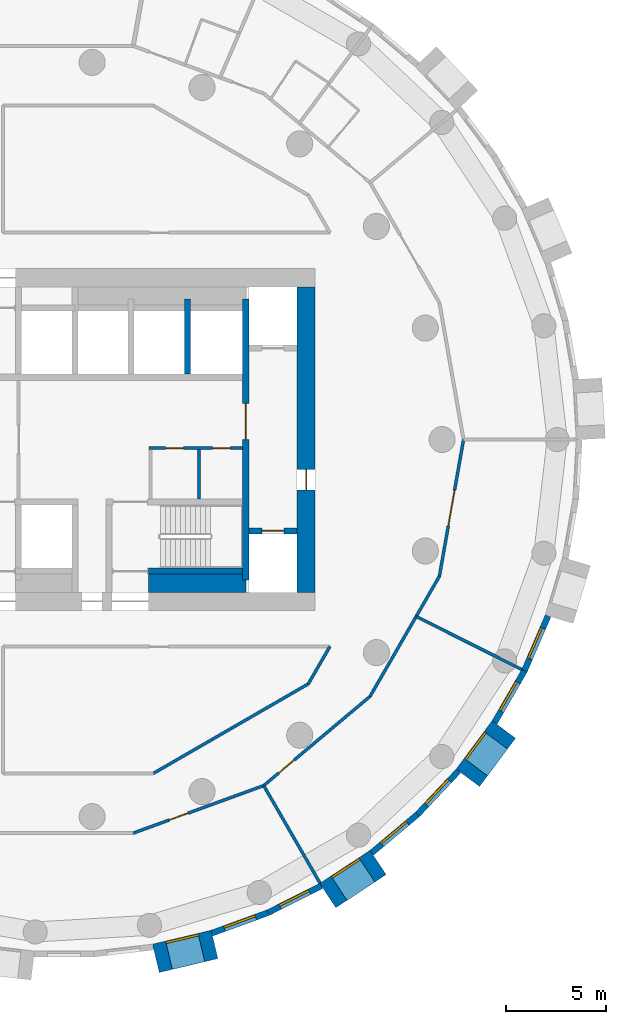
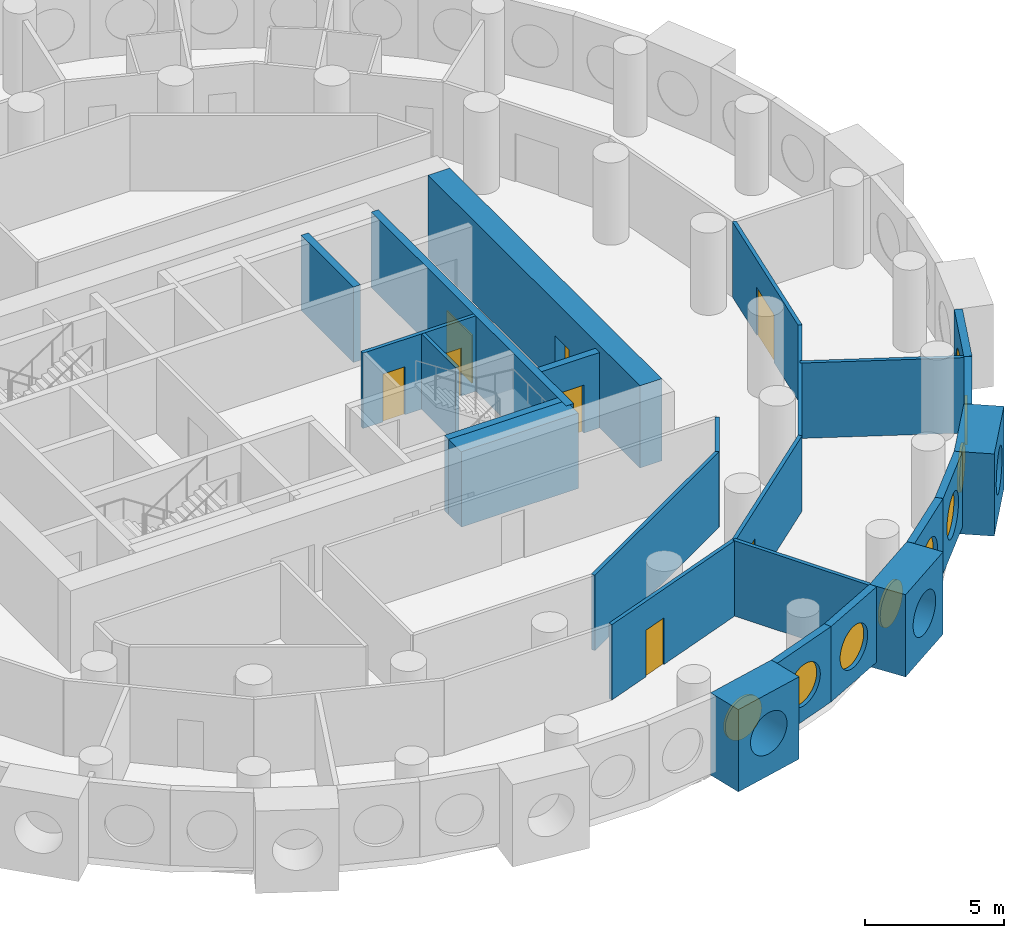
# One storey, part 4 of 9: 25 walls, 9 windows, 8 doors, 17 openings.
"""IFC4 building model written with IfcOpenShell, lengths in metres."""

from ifc_helpers import new_model, si_unit, direction, frame, frame_2d, origin, origin_2d, place, context, subcontext, project, spatial, rectangle, circle, extrude, material, layer, layer_set, type_object, element, fill, save


model = new_model("IFC4")

# Units and contexts
model_context = context("Model", 3, precision=1e-05, world=origin(), true_north=direction((0.0, 1.0)))
body_context = subcontext(model_context, "Body", "Model", "MODEL_VIEW")
ifc_project = project(units=[si_unit("LENGTHUNIT", "METRE"), si_unit("AREAUNIT", "SQUARE_METRE"), si_unit("VOLUMEUNIT", "CUBIC_METRE"), si_unit("PLANEANGLEUNIT", "RADIAN"), si_unit("MASSUNIT", "GRAM", prefix="KILO")], contexts=[model_context])

# Site, building, storey
site_placement = place(None, origin())
site = spatial("IfcSite", under=ifc_project, at=site_placement, CompositionType="ELEMENT")
building_placement = place(site_placement, origin())
building = spatial("IfcBuilding", under=site, at=building_placement, Name="Tracery Tower", CompositionType="ELEMENT")
storey_placement = place(building_placement, frame((0.0, 0.0, 147.60009765625)))
storey = spatial("IfcBuildingStorey", under=building, at=storey_placement, Name="L37", CompositionType="ELEMENT", Elevation=147.60009765625)

# Wall, openings, doors
ifc_material_1 = material(Name="Plasterboard on steel studs", Category="steel")
ifc_layer_1 = layer(ifc_material_1, 0.14990234375)
ifc_layer_set_1 = layer_set([ifc_layer_1], Name="Core room partition 150")
wall_type_1 = type_object("IfcWallType", Name="Core room partition 150", PredefinedType="SOLIDWALL", material=ifc_layer_set_1)
wall_1_placement = place(storey_placement, frame((4.22509765625, -0.425048828125, 0.0), z_axis=(0.0, 0.0, 1.0), x_axis=(1.0, 0.0, 0.0)))
wall_1 = element("IfcWall", 1, at=wall_1_placement, inside=storey, type_object=wall_type_1, Name="L37 slot N", PredefinedType="SOLIDWALL", context=body_context, shape_type="SweptSolid", body=[
    extrude(rectangle(XDim=4.6748046875, YDim=0.14990234375, at=frame_2d((2.33740234375, 0.0))), origin(), (0.0, 0.0, 1.0), 3.2998046875),
])
opening_1_placement = place(wall_1_placement, frame((0.83740234375, 0.0, 0.0)))
opening_1 = element("IfcOpeningElement", 2, at=opening_1_placement, cuts=wall_1, Name="Opening KD27", PredefinedType="OPENING", context=body_context, shape_type="SweptSolid", body=[
    extrude(rectangle(XDim=0.89990234375, YDim=2.10009765625, at=frame_2d((0.449951171875, 1.050048828125))), frame((0.0, 0.074951171875, 0.0), z_axis=(0.0, -1.0, 0.0), x_axis=(1.0, 0.0, 0.0)), (0.0, 0.0, 1.0), 0.14990234375),
])
opening_2_placement = place(wall_1_placement, frame((3.175048828125, 0.0, 0.0)))
opening_2 = element("IfcOpeningElement", 3, at=opening_2_placement, cuts=wall_1, Name="Opening KD21", PredefinedType="OPENING", context=body_context, shape_type="SweptSolid", body=[
    extrude(rectangle(XDim=0.89990234375, YDim=2.10009765625, at=frame_2d((0.449951171875, 1.050048828125))), frame((0.0, 0.074951171875, 0.0), z_axis=(0.0, -1.0, 0.0), x_axis=(1.0, 0.0, 0.0)), (0.0, 0.0, 1.0), 0.14990234375),
])
ifc_material_2 = material(Name="Timber door leaf", Category="wood")
door_type_1 = type_object("IfcDoorType", Name="Core WC door 900", OperationType="NOTDEFINED", PredefinedType="DOOR", material=ifc_material_2)
door_1_placement = place(opening_2_placement, origin())
door_1 = element("IfcDoor", 4, at=door_1_placement, inside=storey, type_object=door_type_1, Name="Core door", OperationType="SINGLE_SWING_LEFT", OverallHeight=2.10009765625, OverallWidth=0.89990234375, PredefinedType="DOOR", context=body_context, shape_type="SweptSolid", body=[
    extrude(rectangle(XDim=0.89990234375, YDim=2.10009765625, at=frame_2d((0.449951171875, 1.050048828125))), frame((0.0, 0.02490234375, 0.0), z_axis=(0.0, -1.0, 0.0), x_axis=(1.0, 0.0, 0.0)), (0.0, 0.0, 1.0), 0.050048828125),
])
fill(opening_2, door_1)
ifc_material_3 = material(Name="Timber door leaf", Category="wood")
door_type_2 = type_object("IfcDoorType", Name="Core store door 900", OperationType="NOTDEFINED", PredefinedType="DOOR", material=ifc_material_3)
door_2_placement = place(opening_1_placement, origin())
door_2 = element("IfcDoor", 5, at=door_2_placement, inside=storey, type_object=door_type_2, Name="Core door", OperationType="SINGLE_SWING_RIGHT", OverallHeight=2.10009765625, OverallWidth=0.89990234375, PredefinedType="DOOR", context=body_context, shape_type="SweptSolid", body=[
    extrude(rectangle(XDim=0.89990234375, YDim=2.10009765625, at=frame_2d((0.449951171875, 1.050048828125))), frame((0.0, 0.02490234375, 0.0), z_axis=(0.0, -1.0, 0.0), x_axis=(1.0, 0.0, 0.0)), (0.0, 0.0, 1.0), 0.050048828125),
])
fill(opening_1, door_2)

# Walls
wall_2_placement = place(storey_placement, frame((6.72509765625, -2.949951171875, 0.0), z_axis=(0.0, 0.0, 1.0), x_axis=(0.0, 1.0, 0.0)))
element("IfcWall", 6, at=wall_2_placement, inside=storey, type_object=wall_type_1, Name="L37 slot sep 1", PredefinedType="SOLIDWALL", context=body_context, shape_type="SweptSolid", body=[
    extrude(rectangle(XDim=2.449951171875, YDim=0.14990234375, at=frame_2d((1.22509765625, 0.0))), origin(), (0.0, 0.0, 1.0), 3.2998046875),
])
ifc_material_4 = material(Name="Concrete C50/60", Category="concrete")
ifc_layer_2 = layer(ifc_material_4, 0.89990234375)
ifc_layer_set_2 = layer_set([ifc_layer_2], Name="Core strip wall 900 C50")
wall_type_2 = type_object("IfcWallType", Name="Core strip wall 900 C50", PredefinedType="SOLIDWALL", material=ifc_layer_set_2)
wall_3_placement = place(storey_placement, frame((4.199951171875, -7.14990234375, 0.0), z_axis=(0.0, 0.0, 1.0), x_axis=(1.0, 0.0, 0.0)))
element("IfcWall", 7, at=wall_3_placement, inside=storey, type_object=wall_type_2, Name="L37 F thick S E", PredefinedType="SOLIDWALL", context=body_context, shape_type="SweptSolid", body=[
    extrude(rectangle(XDim=4.85009765625, YDim=0.89990234375, at=frame_2d((2.425048828125, 0.0))), origin(), (0.0, 0.0, 1.0), 3.2998046875),
])

# Wall, opening, door
ifc_material_5 = material(Name="Concrete C50/60", Category="concrete")
ifc_layer_3 = layer(ifc_material_5, 0.89990234375)
ifc_layer_set_3 = layer_set([ifc_layer_3], Name="Core wall 900 C50")
wall_type_3 = type_object("IfcWallType", Name="Core wall 900 C50", PredefinedType="SOLIDWALL", material=ifc_layer_set_3)
wall_4_placement = place(storey_placement, frame((12.050048828125, -7.60009765625, 0.0), z_axis=(0.0, 0.0, 1.0), x_axis=(0.0, 1.0, 0.0)))
wall_4 = element("IfcWall", 8, at=wall_4_placement, inside=storey, type_object=wall_type_3, Name="L37 outer E", PredefinedType="SOLIDWALL", context=body_context, shape_type="SweptSolid", body=[
    extrude(rectangle(XDim=15.2001953125, YDim=0.89990234375, at=frame_2d((7.60009765625, 0.0))), origin(), (0.0, 0.0, 1.0), 3.599853515625),
])
opening_3_placement = place(wall_4_placement, frame((5.10009765625, 0.0, 0.0)))
opening_3 = element("IfcOpeningElement", 9, at=opening_3_placement, cuts=wall_4, Name="Opening KD18", PredefinedType="OPENING", context=body_context, shape_type="SweptSolid", body=[
    extrude(rectangle(XDim=1.0, YDim=2.10009765625, at=frame_2d((0.5, 1.050048828125))), frame((0.0, 0.449951171875, 0.0), z_axis=(0.0, -1.0, 0.0), x_axis=(1.0, 0.0, 0.0)), (0.0, 0.0, 1.0), 0.89990234375),
])
ifc_material_6 = material(Name="Steel fire door", Category="steel")
door_type_3 = type_object("IfcDoorType", Name="Core exit door 1000", OperationType="NOTDEFINED", PredefinedType="DOOR", material=ifc_material_6)
door_3_placement = place(opening_3_placement, origin())
door_3 = element("IfcDoor", 10, at=door_3_placement, inside=storey, type_object=door_type_3, Name="Core exit door", OperationType="DOUBLE_DOOR_SINGLE_SWING", OverallHeight=2.10009765625, OverallWidth=1.0, PredefinedType="DOOR", context=body_context, shape_type="SweptSolid", body=[
    extrude(rectangle(XDim=1.0, YDim=2.10009765625, at=frame_2d((0.5, 1.050048828125))), frame((0.0, 0.02490234375, 0.0), z_axis=(0.0, -1.0, 0.0), x_axis=(1.0, 0.0, 0.0)), (0.0, 0.0, 1.0), 0.050048828125),
])
fill(opening_3, door_3)

# Wall, opening, window
ifc_material_7 = material(Name="Precast concrete C50/60", Category="concrete")
ifc_layer_4 = layer(ifc_material_7, 1.449951171875)
ifc_layer_set_4 = layer_set([ifc_layer_4], Name="Deep-set bay unit 3000 x 3600, slab edge 300")
wall_type_4 = type_object("IfcWallType", Name="Deep-set bay unit 3000 x 3600, slab edge 300", PredefinedType="ELEMENTEDWALL", material=ifc_layer_set_4)
wall_5_placement = place(storey_placement, frame((4.57763671875, -25.8193359375, -0.300048828125), z_axis=(0.0, 0.0, 1.0), x_axis=(0.973042333261, 0.23062657627, 0.0)))
wall_5 = element("IfcWall", 11, at=wall_5_placement, inside=storey, type_object=wall_type_4, Name="Deep-set bay unit 43 at L37", PredefinedType="ELEMENTEDWALL", context=body_context, shape_type="SweptSolid", body=[
    extrude(rectangle(XDim=3.0, YDim=1.449951171875, at=frame_2d((1.5, 0.0))), origin(), (0.0, 0.0, 1.0), 3.599853515625),
])
opening_4_placement = place(wall_5_placement, frame((1.5, 0.0, 1.85009765625)))
opening_4 = element("IfcOpeningElement", 12, at=opening_4_placement, cuts=wall_5, Name="Opening WN1", PredefinedType="OPENING", context=body_context, shape_type="SweptSolid", body=[
    extrude(circle(Radius=0.9000244140625, at=origin_2d()), frame((0.0, 0.73486328125, 0.0), z_axis=(0.0, -1.0, 0.0), x_axis=(1.0, 0.0, 0.0)), (0.0, 0.0, 1.0), 1.469970703125),
])
ifc_material_8 = material(Name="Aluminium frame with tinted double glazing", Category="aluminium")
window_type = type_object("IfcWindowType", Name="Round window 1800", PartitioningType="SINGLE_PANEL", PredefinedType="WINDOW", material=ifc_material_8)
window_1_placement = place(opening_4_placement, origin())
window_1 = element("IfcWindow", 13, at=window_1_placement, inside=storey, type_object=window_type, Name="Round window 43 at L37", OverallHeight=1.800048828125, OverallWidth=1.800048828125, PartitioningType="SINGLE_PANEL", PredefinedType="WINDOW", context=body_context, shape_type="SweptSolid", body=[
    extrude(circle(Radius=0.9000244140625, at=origin_2d()), frame((0.0, 0.69482421875, 0.0), z_axis=(0.0, -1.0, 0.0), x_axis=(1.0, 0.0, 0.0)), (0.0, 0.0, 1.0), 0.10009765625),
])
fill(opening_4, window_1)

wall_6_placement = place(storey_placement, frame((13.13232421875, -22.696533203125, -0.300048828125), z_axis=(0.0, 0.0, 1.0), x_axis=(0.835514416706, 0.549468524554, 0.0)))
wall_6 = element("IfcWall", 14, at=wall_6_placement, inside=storey, type_object=wall_type_4, Name="Deep-set bay unit 46 at L37", PredefinedType="ELEMENTEDWALL", context=body_context, shape_type="SweptSolid", body=[
    extrude(rectangle(XDim=3.0, YDim=1.449951171875, at=frame_2d((1.5, 0.0))), origin(), (0.0, 0.0, 1.0), 3.599853515625),
])
opening_5_placement = place(wall_6_placement, frame((1.5, 0.0, 1.85009765625)))
opening_5 = element("IfcOpeningElement", 15, at=opening_5_placement, cuts=wall_6, Name="Opening WN1", PredefinedType="OPENING", context=body_context, shape_type="SweptSolid", body=[
    extrude(circle(Radius=0.9000244140625, at=origin_2d()), frame((0.0, 0.73486328125, 0.0), z_axis=(0.0, -1.0, 0.0), x_axis=(1.0, 0.0, 0.0)), (0.0, 0.0, 1.0), 1.469970703125),
])
window_2_placement = place(opening_5_placement, origin())
window_2 = element("IfcWindow", 16, at=window_2_placement, inside=storey, type_object=window_type, Name="Round window 46 at L37", OverallHeight=1.800048828125, OverallWidth=1.800048828125, PartitioningType="SINGLE_PANEL", PredefinedType="WINDOW", context=body_context, shape_type="SweptSolid", body=[
    extrude(circle(Radius=0.9000244140625, at=origin_2d()), frame((0.0, 0.69482421875, 0.0), z_axis=(0.0, -1.0, 0.0), x_axis=(1.0, 0.0, 0.0)), (0.0, 0.0, 1.0), 0.10009765625),
])
fill(opening_5, window_2)

wall_7_placement = place(storey_placement, frame((20.10302734375, -16.836181640625, -0.300048828125), z_axis=(0.0, 0.0, 1.0), x_axis=(0.597183717734, 0.802104486506, 0.0)))
wall_7 = element("IfcWall", 17, at=wall_7_placement, inside=storey, type_object=wall_type_4, Name="Deep-set bay unit 49 at L37", PredefinedType="ELEMENTEDWALL", context=body_context, shape_type="SweptSolid", body=[
    extrude(rectangle(XDim=3.0, YDim=1.449951171875, at=frame_2d((1.5, 0.0))), origin(), (0.0, 0.0, 1.0), 3.599853515625),
])
opening_6_placement = place(wall_7_placement, frame((1.5, 0.0, 1.85009765625)))
opening_6 = element("IfcOpeningElement", 18, at=opening_6_placement, cuts=wall_7, Name="Opening WN1", PredefinedType="OPENING", context=body_context, shape_type="SweptSolid", body=[
    extrude(circle(Radius=0.9000244140625, at=origin_2d()), frame((0.0, 0.73486328125, 0.0), z_axis=(0.0, -1.0, 0.0), x_axis=(1.0, 0.0, 0.0)), (0.0, 0.0, 1.0), 1.469970703125),
])
window_3_placement = place(opening_6_placement, origin())
window_3 = element("IfcWindow", 19, at=window_3_placement, inside=storey, type_object=window_type, Name="Round window 49 at L37", OverallHeight=1.800048828125, OverallWidth=1.800048828125, PartitioningType="SINGLE_PANEL", PredefinedType="WINDOW", context=body_context, shape_type="SweptSolid", body=[
    extrude(circle(Radius=0.9000244140625, at=origin_2d()), frame((0.0, 0.69482421875, 0.0), z_axis=(0.0, -1.0, 0.0), x_axis=(1.0, 0.0, 0.0)), (0.0, 0.0, 1.0), 0.10009765625),
])
fill(opening_6, window_3)

ifc_material_9 = material(Name="Precast concrete C50/60", Category="concrete")
ifc_layer_5 = layer(ifc_material_9, 0.300048828125)
ifc_layer_set_5 = layer_set([ifc_layer_5], Name="Facade panel 3000 x 3300")
wall_type_5 = type_object("IfcWallType", Name="Facade panel 3000 x 3300", PredefinedType="SOLIDWALL", material=ifc_layer_set_5)
wall_8_placement = place(storey_placement, frame((7.36474609375, -24.566650390625, 0.0), z_axis=(0.0, 0.0, 1.0), x_axis=(0.939690282133, 0.342026568652, 0.0)))
wall_8 = element("IfcWall", 20, at=wall_8_placement, inside=storey, type_object=wall_type_5, Name="Facade panel 44 at L37", PredefinedType="SOLIDWALL", context=body_context, shape_type="SweptSolid", body=[
    extrude(rectangle(XDim=2.972900390625, YDim=0.300048828125, at=frame_2d((1.486328125, 0.0))), origin(), (0.0, 0.0, 1.0), 3.2998046875),
])
opening_7_placement = place(wall_8_placement, frame((1.486328125, 0.0, 1.5498046875)))
opening_7 = element("IfcOpeningElement", 21, at=opening_7_placement, cuts=wall_8, Name="Opening WN1", PredefinedType="OPENING", context=body_context, shape_type="SweptSolid", body=[
    extrude(circle(Radius=0.9000244140625, at=origin_2d()), frame((0.0, 0.159912109375, 0.0), z_axis=(0.0, -1.0, 0.0), x_axis=(1.0, 0.0, 0.0)), (0.0, 0.0, 1.0), 0.320068359375),
])
window_4_placement = place(opening_7_placement, origin())
window_4 = element("IfcWindow", 22, at=window_4_placement, inside=storey, type_object=window_type, Name="Round window 44 at L37", OverallHeight=1.800048828125, OverallWidth=1.800048828125, PartitioningType="SINGLE_PANEL", PredefinedType="WINDOW", context=body_context, shape_type="SweptSolid", body=[
    extrude(circle(Radius=0.9000244140625, at=origin_2d()), frame((0.0, 0.1201171875, 0.0), z_axis=(0.0, -1.0, 0.0), x_axis=(1.0, 0.0, 0.0)), (0.0, 0.0, 1.0), 0.10009765625),
])
fill(opening_7, window_4)

wall_9_placement = place(storey_placement, frame((10.158447265625, -23.5498046875, 0.0), z_axis=(0.0, 0.0, 1.0), x_axis=(0.893637442555, 0.448789618045, 0.0)))
wall_9 = element("IfcWall", 23, at=wall_9_placement, inside=storey, type_object=wall_type_5, Name="Facade panel 45 at L37", PredefinedType="SOLIDWALL", context=body_context, shape_type="SweptSolid", body=[
    extrude(rectangle(XDim=2.972900390625, YDim=0.300048828125, at=frame_2d((1.486328125, 0.0))), origin(), (0.0, 0.0, 1.0), 3.2998046875),
])
opening_8_placement = place(wall_9_placement, frame((1.486328125, 0.0, 1.5498046875)))
opening_8 = element("IfcOpeningElement", 24, at=opening_8_placement, cuts=wall_9, Name="Opening WN1", PredefinedType="OPENING", context=body_context, shape_type="SweptSolid", body=[
    extrude(circle(Radius=0.9000244140625, at=origin_2d()), frame((0.0, 0.159912109375, 0.0), z_axis=(0.0, -1.0, 0.0), x_axis=(1.0, 0.0, 0.0)), (0.0, 0.0, 1.0), 0.320068359375),
])
window_5_placement = place(opening_8_placement, origin())
window_5 = element("IfcWindow", 25, at=window_5_placement, inside=storey, type_object=window_type, Name="Round window 45 at L37", OverallHeight=1.800048828125, OverallWidth=1.800048828125, PartitioningType="SINGLE_PANEL", PredefinedType="WINDOW", context=body_context, shape_type="SweptSolid", body=[
    extrude(circle(Radius=0.9000244140625, at=origin_2d()), frame((0.0, 0.1201171875, 0.0), z_axis=(0.0, -1.0, 0.0), x_axis=(1.0, 0.0, 0.0)), (0.0, 0.0, 1.0), 0.10009765625),
])
fill(opening_8, window_5)

wall_10_placement = place(storey_placement, frame((15.322998046875, -20.566162109375, 0.0), z_axis=(0.0, 0.0, 1.0), x_axis=(0.766049350637, 0.642781761089, 0.0)))
wall_10 = element("IfcWall", 26, at=wall_10_placement, inside=storey, type_object=wall_type_5, Name="Facade panel 47 at L37", PredefinedType="SOLIDWALL", context=body_context, shape_type="SweptSolid", body=[
    extrude(rectangle(XDim=2.972900390625, YDim=0.300048828125, at=frame_2d((1.486328125, 0.0))), origin(), (0.0, 0.0, 1.0), 3.2998046875),
])
opening_9_placement = place(wall_10_placement, frame((1.486328125, 0.0, 1.5498046875)))
opening_9 = element("IfcOpeningElement", 27, at=opening_9_placement, cuts=wall_10, Name="Opening WN1", PredefinedType="OPENING", context=body_context, shape_type="SweptSolid", body=[
    extrude(circle(Radius=0.9000244140625, at=origin_2d()), frame((0.0, 0.159912109375, 0.0), z_axis=(0.0, -1.0, 0.0), x_axis=(1.0, 0.0, 0.0)), (0.0, 0.0, 1.0), 0.320068359375),
])
window_6_placement = place(opening_9_placement, origin())
window_6 = element("IfcWindow", 28, at=window_6_placement, inside=storey, type_object=window_type, Name="Round window 47 at L37", OverallHeight=1.800048828125, OverallWidth=1.800048828125, PartitioningType="SINGLE_PANEL", PredefinedType="WINDOW", context=body_context, shape_type="SweptSolid", body=[
    extrude(circle(Radius=0.9000244140625, at=origin_2d()), frame((0.0, 0.1201171875, 0.0), z_axis=(0.0, -1.0, 0.0), x_axis=(1.0, 0.0, 0.0)), (0.0, 0.0, 1.0), 0.10009765625),
])
fill(opening_9, window_6)

wall_11_placement = place(storey_placement, frame((17.600341796875, -18.6552734375, 0.0), z_axis=(0.0, 0.0, 1.0), x_axis=(0.686235184166, 0.727379730273, 0.0)))
wall_11 = element("IfcWall", 29, at=wall_11_placement, inside=storey, type_object=wall_type_5, Name="Facade panel 48 at L37", PredefinedType="SOLIDWALL", context=body_context, shape_type="SweptSolid", body=[
    extrude(rectangle(XDim=2.972900390625, YDim=0.300048828125, at=frame_2d((1.486328125, 0.0))), origin(), (0.0, 0.0, 1.0), 3.2998046875),
])
opening_10_placement = place(wall_11_placement, frame((1.486328125, 0.0, 1.5498046875)))
opening_10 = element("IfcOpeningElement", 30, at=opening_10_placement, cuts=wall_11, Name="Opening WN1", PredefinedType="OPENING", context=body_context, shape_type="SweptSolid", body=[
    extrude(circle(Radius=0.9000244140625, at=origin_2d()), frame((0.0, 0.159912109375, 0.0), z_axis=(0.0, -1.0, 0.0), x_axis=(1.0, 0.0, 0.0)), (0.0, 0.0, 1.0), 0.320068359375),
])
window_7_placement = place(opening_10_placement, origin())
window_7 = element("IfcWindow", 31, at=window_7_placement, inside=storey, type_object=window_type, Name="Round window 48 at L37", OverallHeight=1.800048828125, OverallWidth=1.800048828125, PartitioningType="SINGLE_PANEL", PredefinedType="WINDOW", context=body_context, shape_type="SweptSolid", body=[
    extrude(circle(Radius=0.9000244140625, at=origin_2d()), frame((0.0, 0.1201171875, 0.0), z_axis=(0.0, -1.0, 0.0), x_axis=(1.0, 0.0, 0.0)), (0.0, 0.0, 1.0), 0.10009765625),
])
fill(opening_10, window_7)

wall_12_placement = place(storey_placement, frame((21.432861328125, -14.085205078125, 0.0), z_axis=(0.0, 0.0, 1.0), x_axis=(0.500016263033, 0.866016014115, 0.0)))
wall_12 = element("IfcWall", 32, at=wall_12_placement, inside=storey, type_object=wall_type_5, Name="Facade panel 50 at L37", PredefinedType="SOLIDWALL", context=body_context, shape_type="SweptSolid", body=[
    extrude(rectangle(XDim=2.97314453125, YDim=0.300048828125, at=frame_2d((1.486572265625, 0.0))), origin(), (0.0, 0.0, 1.0), 3.2998046875),
])
opening_11_placement = place(wall_12_placement, frame((1.486328125, 0.0, 1.5498046875)))
opening_11 = element("IfcOpeningElement", 33, at=opening_11_placement, cuts=wall_12, Name="Opening WN1", PredefinedType="OPENING", context=body_context, shape_type="SweptSolid", body=[
    extrude(circle(Radius=0.9000244140625, at=origin_2d()), frame((0.0, 0.159912109375, 0.0), z_axis=(0.0, -1.0, 0.0), x_axis=(1.0, 0.0, 0.0)), (0.0, 0.0, 1.0), 0.320068359375),
])
window_8_placement = place(opening_11_placement, origin())
window_8 = element("IfcWindow", 34, at=window_8_placement, inside=storey, type_object=window_type, Name="Round window 50 at L37", OverallHeight=1.800048828125, OverallWidth=1.800048828125, PartitioningType="SINGLE_PANEL", PredefinedType="WINDOW", context=body_context, shape_type="SweptSolid", body=[
    extrude(circle(Radius=0.9000244140625, at=origin_2d()), frame((0.0, 0.1201171875, 0.0), z_axis=(0.0, -1.0, 0.0), x_axis=(1.0, 0.0, 0.0)), (0.0, 0.0, 1.0), 0.10009765625),
])
fill(opening_11, window_8)

wall_13_placement = place(storey_placement, frame((22.91943359375, -11.510498046875, 0.0), z_axis=(0.0, 0.0, 1.0), x_axis=(0.396078892785, 0.918216483565, 0.0)))
wall_13 = element("IfcWall", 35, at=wall_13_placement, inside=storey, type_object=wall_type_5, Name="Facade panel 51 at L37", PredefinedType="SOLIDWALL", context=body_context, shape_type="SweptSolid", body=[
    extrude(rectangle(XDim=2.972900390625, YDim=0.300048828125, at=frame_2d((1.486328125, 0.0))), origin(), (0.0, 0.0, 1.0), 3.2998046875),
])
opening_12_placement = place(wall_13_placement, frame((1.486328125, 0.0, 1.5498046875)))
opening_12 = element("IfcOpeningElement", 36, at=opening_12_placement, cuts=wall_13, Name="Opening WN1", PredefinedType="OPENING", context=body_context, shape_type="SweptSolid", body=[
    extrude(circle(Radius=0.9000244140625, at=origin_2d()), frame((0.0, 0.159912109375, 0.0), z_axis=(0.0, -1.0, 0.0), x_axis=(1.0, 0.0, 0.0)), (0.0, 0.0, 1.0), 0.320068359375),
])
window_9_placement = place(opening_12_placement, origin())
window_9 = element("IfcWindow", 37, at=window_9_placement, inside=storey, type_object=window_type, Name="Round window 51 at L37", OverallHeight=1.800048828125, OverallWidth=1.800048828125, PartitioningType="SINGLE_PANEL", PredefinedType="WINDOW", context=body_context, shape_type="SweptSolid", body=[
    extrude(circle(Radius=0.9000244140625, at=origin_2d()), frame((0.0, 0.1201171875, 0.0), z_axis=(0.0, -1.0, 0.0), x_axis=(1.0, 0.0, 0.0)), (0.0, 0.0, 1.0), 0.10009765625),
])
fill(opening_12, window_9)

# Walls
ifc_material_10 = material(Name="Plasterboard on steel studs", Category="steel")
ifc_layer_6 = layer(ifc_material_10, 0.14990234375)
ifc_layer_set_6 = layer_set([ifc_layer_6], Name="Partition 150 acoustic unit wall")
wall_type_6 = type_object("IfcWallType", Name="Partition 150 acoustic unit wall", PredefinedType="PARTITIONING", material=ifc_layer_set_6)
wall_14_placement = place(storey_placement, frame((9.944091796875, -17.222900390625, 0.0), z_axis=(0.0, 0.0, 1.0), x_axis=(0.500010020406, -0.866019618423, 0.0)))
element("IfcWall", 38, at=wall_14_placement, inside=storey, type_object=wall_type_6, Name="Unit wall RB3-056", PredefinedType="PARTITIONING", context=body_context, shape_type="SweptSolid", body=[
    extrude(rectangle(XDim=5.60986328125, YDim=0.14990234375, at=frame_2d((2.804931640625, 0.0))), origin(), (0.0, 0.0, 1.0), 3.2998046875),
])
wall_15_placement = place(storey_placement, frame((17.531982421875, -8.804931640625, 0.0), z_axis=(0.0, 0.0, 1.0), x_axis=(0.893628331628, -0.448807759415, 0.0)))
element("IfcWall", 39, at=wall_15_placement, inside=storey, type_object=wall_type_6, Name="Unit wall RB3-057", PredefinedType="PARTITIONING", context=body_context, shape_type="SweptSolid", body=[
    extrude(rectangle(XDim=5.878173828125, YDim=0.14990234375, at=frame_2d((2.93896484375, 0.0))), origin(), (0.0, 0.0, 1.0), 3.2998046875),
])
ifc_material_11 = material(Name="Plasterboard on steel studs", Category="steel")
ifc_layer_7 = layer(ifc_material_11, 0.14990234375)
ifc_layer_set_7 = layer_set([ifc_layer_7], Name="Partition 150 corridor wall")
wall_type_7 = type_object("IfcWallType", Name="Partition 150 corridor wall", PredefinedType="PARTITIONING", material=ifc_layer_set_7)
wall_16_placement = place(storey_placement, frame((12.162109375, -12.162109375, 0.0), z_axis=(0.0, 0.0, 1.0), x_axis=(0.499961633463, 0.866047553582, 0.0)))
element("IfcWall", 40, at=wall_16_placement, inside=storey, type_object=wall_type_7, Name="Corridor wall RB3-006", PredefinedType="PARTITIONING", context=body_context, shape_type="SweptSolid", body=[
    extrude(rectangle(XDim=2.150146484375, YDim=0.14990234375, at=frame_2d((1.0751953125, 0.0))), origin(), (0.0, 0.0, 1.0), 3.2998046875),
])
wall_17_placement = place(storey_placement, frame((15.235107421875, -12.783935546875, 0.0), z_axis=(0.0, 0.0, 1.0), x_axis=(0.499914202267, 0.866074933462, 0.0)))
element("IfcWall", 41, at=wall_17_placement, inside=storey, type_object=wall_type_7, Name="Corridor wall RB3-010", PredefinedType="PARTITIONING", context=body_context, shape_type="SweptSolid", body=[
    extrude(rectangle(XDim=6.906982421875, YDim=0.14990234375, at=frame_2d((3.45361328125, 0.0))), origin(), (0.0, 0.0, 1.0), 3.2998046875),
])

# Wall, opening, door
wall_18_placement = place(storey_placement, frame((9.943359375, -17.22216796875, 0.0), z_axis=(0.0, 0.0, 1.0), x_axis=(0.766192104565, 0.642611592567, 0.0)))
wall_18 = element("IfcWall", 42, at=wall_18_placement, inside=storey, type_object=wall_type_7, Name="Corridor wall RB3-011", PredefinedType="PARTITIONING", context=body_context, shape_type="SweptSolid", body=[
    extrude(rectangle(XDim=6.906494140625, YDim=0.14990234375, at=frame_2d((3.453125, 0.0))), origin(), (0.0, 0.0, 1.0), 3.2998046875),
])
opening_13_placement = place(wall_18_placement, frame((0.983642578125, 0.0, 0.0)))
opening_13 = element("IfcOpeningElement", 43, at=opening_13_placement, cuts=wall_18, Name="Opening RB3-18", PredefinedType="OPENING", context=body_context, shape_type="SweptSolid", body=[
    extrude(rectangle(XDim=1.0, YDim=2.0400390625, at=frame_2d((0.5, 1.02001953125))), frame((0.0, 0.074951171875, 0.0), z_axis=(0.0, -1.0, 0.0), x_axis=(1.0, 0.0, 0.0)), (0.0, 0.0, 1.0), 0.14990234375),
])
ifc_material_12 = material(Name="Timber door leaf", Category="wood")
door_type_4 = type_object("IfcDoorType", Name="Door communal room 1000", OperationType="NOTDEFINED", PredefinedType="DOOR", material=ifc_material_12)
door_4_placement = place(opening_13_placement, origin())
door_4 = element("IfcDoor", 44, at=door_4_placement, inside=storey, type_object=door_type_4, Name="Communal room door RB3-18", OperationType="SINGLE_SWING_RIGHT", OverallHeight=2.0400390625, OverallWidth=1.0, PredefinedType="DOOR", context=body_context, shape_type="SweptSolid", body=[
    extrude(rectangle(XDim=1.0, YDim=2.0400390625, at=frame_2d((0.5, 1.02001953125))), frame((0.0, 0.02490234375, 0.0), z_axis=(0.0, -1.0, 0.0), x_axis=(1.0, 0.0, 0.0)), (0.0, 0.0, 1.0), 0.050048828125),
])
fill(opening_13, door_4)

wall_19_placement = place(storey_placement, frame((18.68798828125, -6.802001953125, 0.0), z_axis=(0.0, 0.0, 1.0), x_axis=(0.173728873845, 0.98479352069, 0.0)))
wall_19 = element("IfcWall", 45, at=wall_19_placement, inside=storey, type_object=wall_type_7, Name="Corridor wall RB3-012", PredefinedType="PARTITIONING", context=body_context, shape_type="SweptSolid", body=[
    extrude(rectangle(XDim=6.906982421875, YDim=0.14990234375, at=frame_2d((3.45361328125, 0.0))), origin(), (0.0, 0.0, 1.0), 3.2998046875),
])
opening_14_placement = place(wall_19_placement, frame((2.552978515625, 0.0, 0.0)))
opening_14 = element("IfcOpeningElement", 46, at=opening_14_placement, cuts=wall_19, Name="Opening RB3-19", PredefinedType="OPENING", context=body_context, shape_type="SweptSolid", body=[
    extrude(rectangle(XDim=1.800048828125, YDim=2.10009765625, at=frame_2d((0.89990234375, 1.050048828125))), frame((0.0, 0.074951171875, 0.0), z_axis=(0.0, -1.0, 0.0), x_axis=(1.0, 0.0, 0.0)), (0.0, 0.0, 1.0), 0.14990234375),
])
ifc_material_13 = material(Name="Timber door leaf", Category="wood")
door_type_5 = type_object("IfcDoorType", Name="Door double lounge 1800", OperationType="NOTDEFINED", PredefinedType="DOOR", material=ifc_material_13)
door_5_placement = place(opening_14_placement, origin())
door_5 = element("IfcDoor", 47, at=door_5_placement, inside=storey, type_object=door_type_5, Name="Double lounge door RB3-19", OperationType="DOUBLE_DOOR_SINGLE_SWING", OverallHeight=2.10009765625, OverallWidth=1.800048828125, PredefinedType="DOOR", context=body_context, shape_type="SweptSolid", body=[
    extrude(rectangle(XDim=1.800048828125, YDim=2.10009765625, at=frame_2d((0.89990234375, 1.050048828125))), frame((0.0, 0.02490234375, 0.0), z_axis=(0.0, -1.0, 0.0), x_axis=(1.0, 0.0, 0.0)), (0.0, 0.0, 1.0), 0.050048828125),
])
fill(opening_14, door_5)

# Wall
wall_20_placement = place(storey_placement, frame((4.451904296875, -16.614013671875, 0.0), z_axis=(0.0, 0.0, 1.0), x_axis=(0.866005203721, 0.500034985904, 0.0)))
element("IfcWall", 48, at=wall_20_placement, inside=storey, type_object=wall_type_7, Name="Corridor wall RB3-035", PredefinedType="PARTITIONING", context=body_context, shape_type="SweptSolid", body=[
    extrude(rectangle(XDim=8.903076171875, YDim=0.14990234375, at=frame_2d((4.45166015625, 0.0))), origin(), (0.0, 0.0, 1.0), 3.2998046875),
])

# Wall, opening, door
wall_21_placement = place(storey_placement, frame((3.452880859375, -19.5859375, 0.0), z_axis=(0.0, 0.0, 1.0), x_axis=(0.939672634566, 0.342075050021, 0.0)))
wall_21 = element("IfcWall", 49, at=wall_21_placement, inside=storey, type_object=wall_type_7, Name="Corridor wall RB3-037", PredefinedType="PARTITIONING", context=body_context, shape_type="SweptSolid", body=[
    extrude(rectangle(XDim=6.907958984375, YDim=0.14990234375, at=frame_2d((3.4541015625, 0.0))), origin(), (0.0, 0.0, 1.0), 3.2998046875),
])
opening_15_placement = place(wall_21_placement, frame((1.90380859375, 0.0, 0.0)))
opening_15 = element("IfcOpeningElement", 50, at=opening_15_placement, cuts=wall_21, Name="Opening RB3-17", PredefinedType="OPENING", context=body_context, shape_type="SweptSolid", body=[
    extrude(rectangle(XDim=1.0, YDim=2.0400390625, at=frame_2d((0.5, 1.02001953125))), frame((0.0, 0.074951171875, 0.0), z_axis=(0.0, -1.0, 0.0), x_axis=(1.0, 0.0, 0.0)), (0.0, 0.0, 1.0), 0.14990234375),
])
door_6_placement = place(opening_15_placement, origin())
door_6 = element("IfcDoor", 51, at=door_6_placement, inside=storey, type_object=door_type_4, Name="Communal room door RB3-17", OperationType="SINGLE_SWING_RIGHT", OverallHeight=2.0400390625, OverallWidth=1.0, PredefinedType="DOOR", context=body_context, shape_type="SweptSolid", body=[
    extrude(rectangle(XDim=1.0, YDim=2.0400390625, at=frame_2d((0.5, 1.02001953125))), frame((0.0, 0.02490234375, 0.0), z_axis=(0.0, -1.0, 0.0), x_axis=(1.0, 0.0, 0.0)), (0.0, 0.0, 1.0), 0.050048828125),
])
fill(opening_15, door_6)

# Wall
ifc_material_14 = material(Name="Concrete C50/60", Category="concrete")
ifc_layer_8 = layer(ifc_material_14, 0.300048828125)
ifc_layer_set_8 = layer_set([ifc_layer_8], Name="Shaft wall 300 C50")
wall_type_8 = type_object("IfcWallType", Name="Shaft wall 300 C50", PredefinedType="SOLIDWALL", material=ifc_layer_set_8)
wall_22_placement = place(storey_placement, frame((6.14990234375, 3.25, 0.0), z_axis=(0.0, 0.0, 1.0), x_axis=(0.0, 1.0, 0.0)))
element("IfcWall", 52, at=wall_22_placement, inside=storey, type_object=wall_type_8, Name="L37 HR sep 3", PredefinedType="SOLIDWALL", context=body_context, shape_type="SweptSolid", body=[
    extrude(rectangle(XDim=3.75, YDim=0.300048828125, at=frame_2d((1.875, 0.0))), origin(), (0.0, 0.0, 1.0), 3.2998046875),
])

# Wall, opening, door
wall_23_placement = place(storey_placement, frame((9.199951171875, -4.550048828125, 0.0), z_axis=(0.0, 0.0, 1.0), x_axis=(1.0, 0.0, 0.0)))
wall_23 = element("IfcWall", 53, at=wall_23_placement, inside=storey, type_object=wall_type_8, Name="L37 MR E -4.55", PredefinedType="SOLIDWALL", context=body_context, shape_type="SweptSolid", body=[
    extrude(rectangle(XDim=2.400146484375, YDim=0.300048828125, at=frame_2d((1.2001953125, 0.0))), origin(), (0.0, 0.0, 1.0), 3.2998046875),
])
opening_16_placement = place(wall_23_placement, frame((0.64990234375, 0.0, 0.0)))
opening_16 = element("IfcOpeningElement", 54, at=opening_16_placement, cuts=wall_23, Name="Opening KD50", PredefinedType="OPENING", context=body_context, shape_type="SweptSolid", body=[
    extrude(rectangle(XDim=1.10009765625, YDim=2.10009765625, at=frame_2d((0.550048828125, 1.050048828125))), frame((0.0, 0.14990234375, 0.0), z_axis=(0.0, -1.0, 0.0), x_axis=(1.0, 0.0, 0.0)), (0.0, 0.0, 1.0), 0.300048828125),
])
ifc_material_15 = material(Name="Steel fire door", Category="steel")
door_type_6 = type_object("IfcDoorType", Name="Landing door 1100", OperationType="NOTDEFINED", PredefinedType="DOOR", material=ifc_material_15)
door_7_placement = place(opening_16_placement, origin())
door_7 = element("IfcDoor", 55, at=door_7_placement, inside=storey, type_object=door_type_6, Name="Landing door MR3", OperationType="SLIDING_TO_RIGHT", OverallHeight=2.10009765625, OverallWidth=1.10009765625, PredefinedType="DOOR", context=body_context, shape_type="SweptSolid", body=[
    extrude(rectangle(XDim=1.10009765625, YDim=2.10009765625, at=frame_2d((0.550048828125, 1.050048828125))), frame((0.0, 0.02490234375, 0.0), z_axis=(0.0, -1.0, 0.0), x_axis=(1.0, 0.0, 0.0)), (0.0, 0.0, 1.0), 0.050048828125),
])
fill(opening_16, door_7)

ifc_material_16 = material(Name="Concrete C50/60", Category="concrete")
ifc_layer_9 = layer(ifc_material_16, 0.300048828125)
ifc_layer_set_9 = layer_set([ifc_layer_9], Name="Stair wall 300 C50")
wall_type_9 = type_object("IfcWallType", Name="Stair wall 300 C50", PredefinedType="SOLIDWALL", material=ifc_layer_set_9)
wall_24_placement = place(storey_placement, frame((9.050048828125, -7.0, 0.0), z_axis=(0.0, 0.0, 1.0), x_axis=(0.0, 1.0, 0.0)))
wall_24 = element("IfcWall", 56, at=wall_24_placement, inside=storey, type_object=wall_type_9, Name="L37 F wall +9", PredefinedType="SOLIDWALL", context=body_context, shape_type="SweptSolid", body=[
    extrude(rectangle(XDim=14.0, YDim=0.300048828125, at=frame_2d((7.0, 0.0))), origin(), (0.0, 0.0, 1.0), 3.2998046875),
])
opening_17_placement = place(wall_24_placement, frame((7.0, 0.0, 0.0)))
opening_17 = element("IfcOpeningElement", 57, at=opening_17_placement, cuts=wall_24, Name="Opening KD13", PredefinedType="OPENING", context=body_context, shape_type="SweptSolid", body=[
    extrude(rectangle(XDim=1.800048828125, YDim=2.10009765625, at=frame_2d((0.89990234375, 1.050048828125))), frame((0.0, 0.14990234375, 0.0), z_axis=(0.0, -1.0, 0.0), x_axis=(1.0, 0.0, 0.0)), (0.0, 0.0, 1.0), 0.300048828125),
])
ifc_material_17 = material(Name="Steel fire door", Category="steel")
door_type_7 = type_object("IfcDoorType", Name="Core exit door 1800 double", OperationType="NOTDEFINED", PredefinedType="DOOR", material=ifc_material_17)
door_8_placement = place(opening_17_placement, origin())
door_8 = element("IfcDoor", 58, at=door_8_placement, inside=storey, type_object=door_type_7, Name="Core exit door", OperationType="DOUBLE_DOOR_SINGLE_SWING", OverallHeight=2.10009765625, OverallWidth=1.800048828125, PredefinedType="DOOR", context=body_context, shape_type="SweptSolid", body=[
    extrude(rectangle(XDim=1.800048828125, YDim=2.10009765625, at=frame_2d((0.89990234375, 1.050048828125))), frame((0.0, 0.02490234375, 0.0), z_axis=(0.0, -1.0, 0.0), x_axis=(1.0, 0.0, 0.0)), (0.0, 0.0, 1.0), 0.050048828125),
])
fill(opening_17, door_8)

# Wall
wall_25_placement = place(storey_placement, frame((4.199951171875, -6.550048828125, 0.0), z_axis=(0.0, 0.0, 1.0), x_axis=(1.0, 0.0, 0.0)))
element("IfcWall", 59, at=wall_25_placement, inside=storey, type_object=wall_type_9, Name="L37 F stair strip S E", PredefinedType="SOLIDWALL", context=body_context, shape_type="SweptSolid", body=[
    extrude(rectangle(XDim=4.699951171875, YDim=0.300048828125, at=frame_2d((2.35009765625, 0.0))), origin(), (0.0, 0.0, 1.0), 3.2998046875),
])

save(model, "model.ifc")
